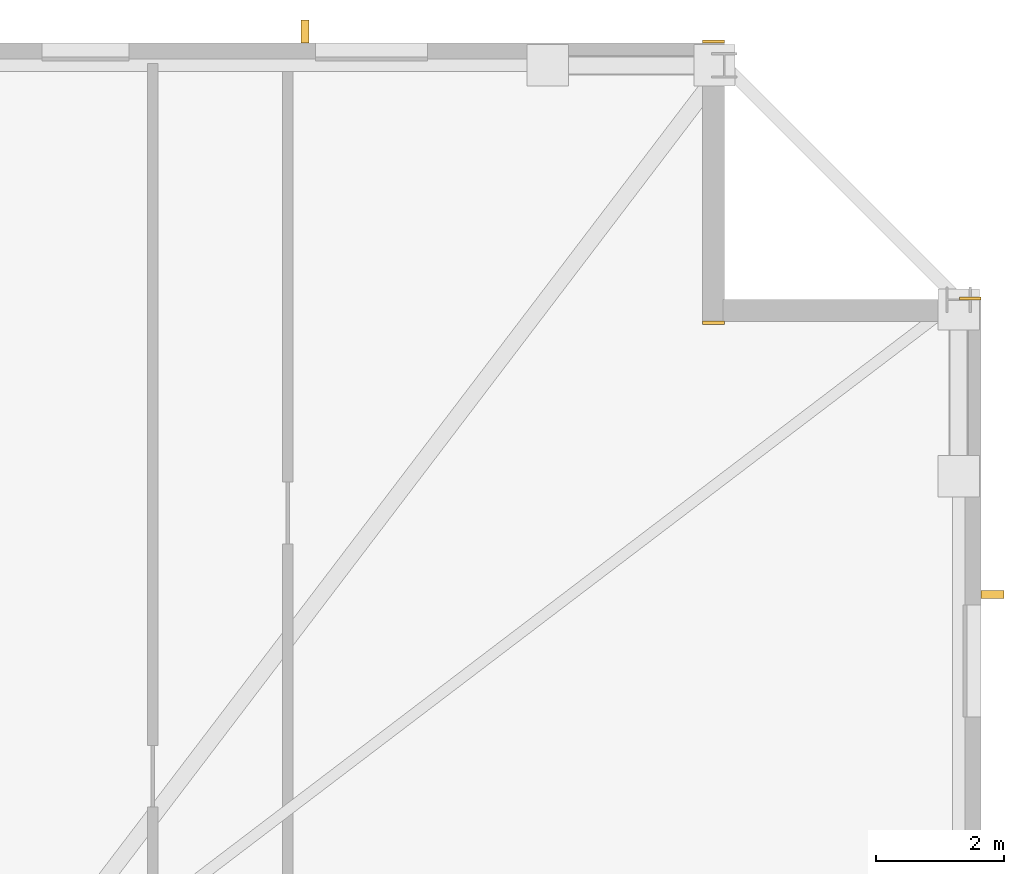
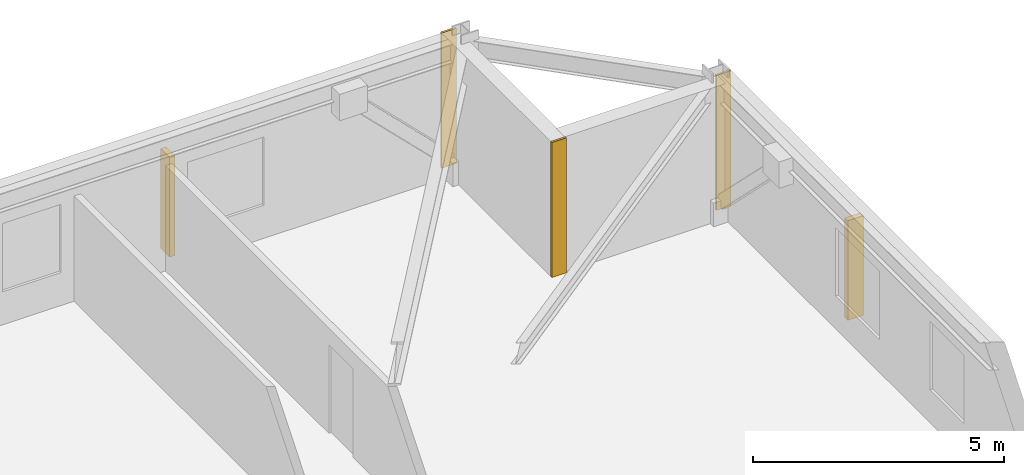
# One storey, part 10 of 10: 3 coverings, 2 shading devices.
"""IFC4 building model written with IfcOpenShell, lengths in metres."""

from ifc_helpers import new_model, si_unit, direction, frame, frame_2d, origin, origin_2d, place, context, subcontext, project, spatial, rectangle, extrude, material, layer, layer_set, type_object, element, save


model = new_model("IFC4")

# Units and contexts
model_context = context("Model", 3, precision=1e-05, world=origin(), true_north=direction((0.0, 1.0)))
body_context = subcontext(model_context, "Body", "Model", "MODEL_VIEW")
ifc_project = project(units=[si_unit("LENGTHUNIT", "METRE"), si_unit("AREAUNIT", "SQUARE_METRE"), si_unit("VOLUMEUNIT", "CUBIC_METRE"), si_unit("PLANEANGLEUNIT", "RADIAN"), si_unit("MASSUNIT", "GRAM", prefix="KILO")], contexts=[model_context])

# Site, building, storey
site_placement = place(None, origin())
site = spatial("IfcSite", under=ifc_project, at=site_placement, CompositionType="ELEMENT")
building_placement = place(site_placement, origin())
building = spatial("IfcBuilding", under=site, at=building_placement, Name="Cairnveth Concourse Tower", CompositionType="ELEMENT")
storey_placement = place(building_placement, frame((0.0, 0.0, 109.5)))
storey = spatial("IfcBuildingStorey", under=building, at=storey_placement, Name="L29", CompositionType="ELEMENT", Elevation=109.5)

# Coverings
ifc_material_1 = material(Name="Dressed Melbourne Bluestone Cladding", Category="masonry")
ifc_layer = layer(ifc_material_1, 0.050048828125)
ifc_layer_set = layer_set([ifc_layer], Name="Dressed Melbourne Bluestone Cladding")
covering_type = type_object("IfcCoveringType", Name="DRESSED BLUESTONE PLINTH CLADDING 50", PredefinedType="CLADDING", material=ifc_layer_set)
for number, where, z_axis, x_axis, name in (
    (1, (71.659912109375, 63.02001953125, 0.0), (0.0, 0.0, 1.0), (1.0, 0.0, 0.0), "Melbourne Bluestone Corner Quoin L29-407"),
    (2, (71.659912109375, 58.639892578125, 0.0), (0.0, 0.0, 1.0), (1.0, 0.0, 0.0), "Melbourne Bluestone Corner Quoin L29-408"),
    (3, (75.659912109375, 59.02001953125, 0.0), (0.0, 0.0, 1.0), (1.0, 0.0, 0.0), "Melbourne Bluestone Corner Quoin L29-409"),
):
    element("IfcCovering", number, at=place(storey_placement, frame(where, z_axis=z_axis, x_axis=x_axis)), inside=storey, type_object=covering_type, Name=name, PredefinedType="CLADDING", context=body_context, shape_type="SweptSolid", body=[
        extrude(rectangle(XDim=0.340087890625, YDim=0.050048828125, at=frame_2d((0.169921875, 0.0))), origin(), (0.0, 0.0, 1.0), 3.280029296875),
    ])

# Shading devices
ifc_material_2 = material(Name="Architectural Bronze Anodised Aluminium 6063-T6", Category="aluminium")
shading_device_type = type_object("IfcShadingDeviceType", Name="GOTHIC BRONZE VERTICAL LANCET FIN", PredefinedType="USERDEFINED", material=ifc_material_2)
for number, where, z_axis, x_axis, name in (
    (4, (65.47021484375, 63.175048828125, 0.030029296875), (0.0, 0.0, 1.0), (1.0, 0.0, 0.0), "Gothic Bronze Vertical Fin L29-3-9"),
    (5, (76.175048828125, 54.408203125, 0.030029296875), (0.0, 0.0, 1.0), (0.0, 1.0, 0.0), "Gothic Bronze Vertical Fin L29-6-1"),
):
    element("IfcShadingDevice", number, at=place(storey_placement, frame(where, z_axis=z_axis, x_axis=x_axis)), inside=storey, type_object=shading_device_type, Name=name, ObjectType="VERTICAL FIN", PredefinedType="USERDEFINED", context=body_context, shape_type="SweptSolid", body=[
        extrude(rectangle(XDim=0.1201171875, YDim=0.360107421875, at=origin_2d()), origin(), (0.0, 0.0, 1.0), 2.419921875),
    ])

save(model, "model.ifc")
